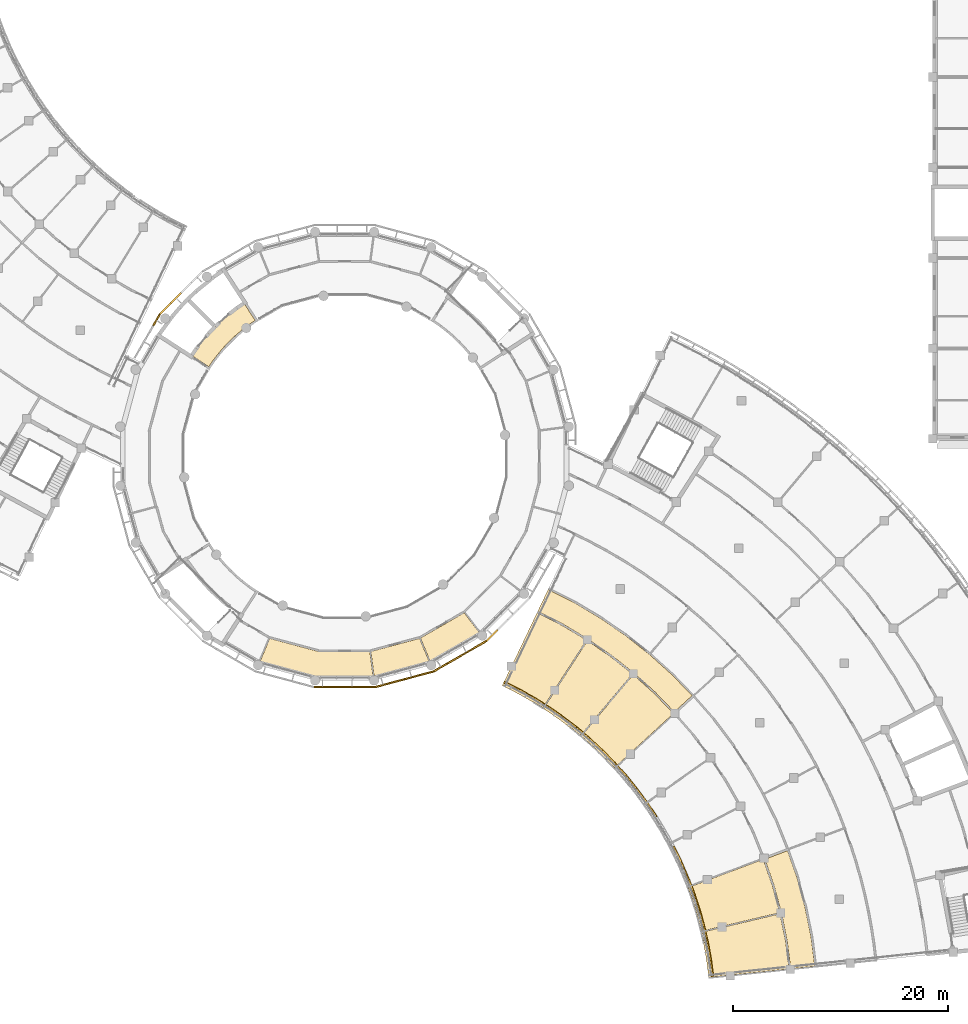
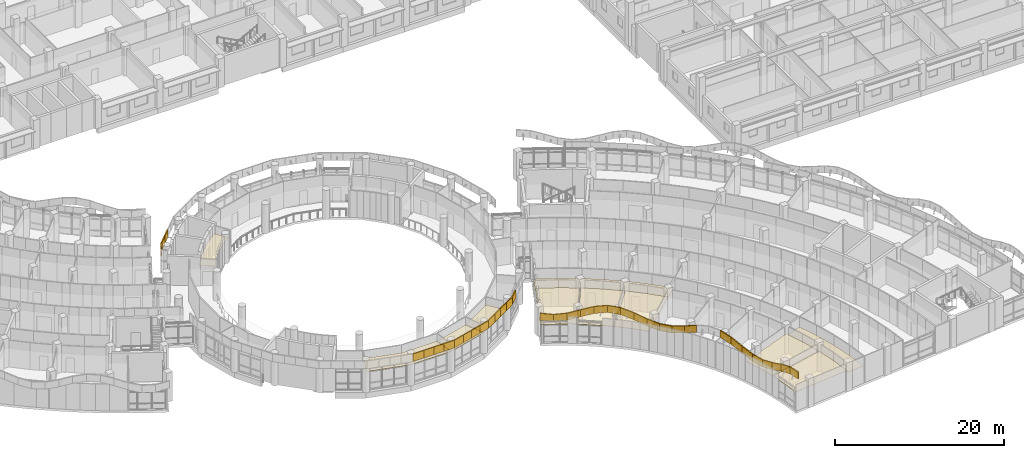
# One storey, part 93 of 109: 47 coverings.
"""IFC4 building model written with IfcOpenShell, lengths in metres."""

from ifc_helpers import new_model, si_unit, direction, frame, origin, place, context, subcontext, project, spatial, polyline, outline, extrude, material, layer, layer_set, type_object, element, save


model = new_model("IFC4")

# Units and contexts
model_context = context("Model", 3, precision=1e-05, world=origin(), true_north=direction((0.0, 1.0)))
body_context = subcontext(model_context, "Body", "Model", "MODEL_VIEW")
ifc_project = project(units=[si_unit("LENGTHUNIT", "METRE"), si_unit("AREAUNIT", "SQUARE_METRE"), si_unit("VOLUMEUNIT", "CUBIC_METRE"), si_unit("PLANEANGLEUNIT", "RADIAN"), si_unit("MASSUNIT", "GRAM", prefix="KILO")], contexts=[model_context])

# Site, building, storey
site_placement = place(None, origin())
site = spatial("IfcSite", under=ifc_project, at=site_placement, CompositionType="ELEMENT")
building_placement = place(site_placement, origin())
building = spatial("IfcBuilding", under=site, at=building_placement, Name="Bougainvillea Quay General Hospital", CompositionType="ELEMENT")
storey_placement = place(building_placement, frame((0.0, 0.0, 12.60009765625)))
storey = spatial("IfcBuildingStorey", under=building, at=storey_placement, Name="L02", CompositionType="ELEMENT", Elevation=12.60009765625)

# Coverings
ifc_material_1 = material(Name="Powder-coated aluminium fascia, white", Category="aluminium")
ifc_layer_1 = layer(ifc_material_1, 0.14990234375)
ifc_layer_set_1 = layer_set([ifc_layer_1], Name="Powder-coated aluminium fascia, white")
covering_type_1 = type_object("IfcCoveringType", Name="Aluminium fascia band white 150x1100", PredefinedType="CLADDING", material=ifc_layer_set_1)
covering_1_placement = place(storey_placement, frame((106.386474609375, 52.6298828125, 3.64990234375), z_axis=(0.0, 0.0, 1.0), x_axis=(1.0, 0.0, 0.0)))
element("IfcCovering", 1, at=covering_1_placement, inside=storey, type_object=covering_type_1, Name="Fascia band white e0 23", PredefinedType="CLADDING", context=body_context, shape_type="SweptSolid", body=[
    extrude(outline(polyline([(0.0, 0.0), (1.443115234375, 0.0), (1.443115234375, -0.14990234375), (-0.01953125, -0.14990234375), (0.0, 0.0)])), origin(), (0.0, 0.0, 1.0), 1.10009765625),
])
covering_2_placement = place(storey_placement, frame((107.82958984375, 52.6298828125, 3.64990234375), z_axis=(0.0, 0.0, 1.0), x_axis=(1.0, 0.0, 0.0)))
element("IfcCovering", 2, at=covering_2_placement, inside=storey, type_object=covering_type_1, Name="Fascia band white e0 24", PredefinedType="CLADDING", context=body_context, shape_type="SweptSolid", body=[
    extrude(outline(polyline([(0.0, 0.0), (1.370361328125, 0.0), (1.370361328125, -0.14990234375), (0.0, -0.14990234375), (0.0, 0.0)])), origin(), (0.0, 0.0, 1.0), 1.10009765625),
])
covering_3_placement = place(storey_placement, frame((109.199951171875, 52.6298828125, 3.64990234375), z_axis=(0.0, 0.0, 1.0), x_axis=(1.0, 0.0, 0.0)))
element("IfcCovering", 3, at=covering_3_placement, inside=storey, type_object=covering_type_1, Name="Fascia band white e0 25", PredefinedType="CLADDING", context=body_context, shape_type="SweptSolid", body=[
    extrude(outline(polyline([(0.0, 0.0), (1.37060546875, 0.0), (1.37060546875, -0.14990234375), (0.0, -0.14990234375), (0.0, 0.0)])), origin(), (0.0, 0.0, 1.0), 1.10009765625),
])
covering_4_placement = place(storey_placement, frame((110.570556640625, 52.6298828125, 3.64990234375), z_axis=(0.0, 0.0, 1.0), x_axis=(1.0, 0.0, 0.0)))
element("IfcCovering", 4, at=covering_4_placement, inside=storey, type_object=covering_type_1, Name="Fascia band white e0 26", PredefinedType="CLADDING", context=body_context, shape_type="SweptSolid", body=[
    extrude(outline(polyline([(0.0, 0.0), (1.44287109375, 0.0), (1.462646484375, -0.14990234375), (0.0, -0.14990234375), (0.0, 0.0)])), origin(), (0.0, 0.0, 1.0), 1.10009765625),
])
covering_5_placement = place(storey_placement, frame((112.013427734375, 52.6298828125, 3.64990234375), z_axis=(0.0, 0.0, 1.0), x_axis=(0.96591406393, 0.258862938836, 0.0)))
element("IfcCovering", 5, at=covering_5_placement, inside=storey, type_object=covering_type_1, Name="Fascia band white e0 27", PredefinedType="CLADDING", context=body_context, shape_type="SweptSolid", body=[
    extrude(outline(polyline([(0.0, 0.0), (1.4429842986801122, -5.551115123125783e-17), (1.4430025148508425, -0.14988922050420814), (-0.01970283331708037, -0.14991189777797442), (0.0, 0.0)])), origin(), (0.0, 0.0, 1.0), 1.10009765625),
])
for number, where, z_axis, x_axis, name in (
    (6, (113.4072265625, 53.00341796875, 3.64990234375), (0.0, 0.0, 1.0), (0.965917832393, 0.258848876884, 0.0), "Fascia band white e0 28"),
    (7, (114.73095703125, 53.358154296875, 3.64990234375), (0.0, 0.0, 1.0), (0.965917832393, 0.258848876884, 0.0), "Fascia band white e0 29"),
):
    element("IfcCovering", number, at=place(storey_placement, frame(where, z_axis=z_axis, x_axis=x_axis)), inside=storey, type_object=covering_type_1, Name=name, PredefinedType="CLADDING", context=body_context, shape_type="SweptSolid", body=[
        extrude(outline(polyline([(0.0, 0.0), (1.3704379651734342, -5.551115123125783e-17), (1.3704583634542102, -0.1498892202231306), (2.039828077596978e-05, -0.14988922022313056), (0.0, 0.0)])), origin(), (0.0, 0.0, 1.0), 1.10009765625),
    ])
covering_6_placement = place(storey_placement, frame((116.0546875, 53.712890625, 3.64990234375), z_axis=(0.0, 0.0, 1.0), x_axis=(0.965902723626, 0.258905250026, 0.0)))
element("IfcCovering", 8, at=covering_6_placement, inside=storey, type_object=covering_type_1, Name="Fascia band white e0 30", PredefinedType="CLADDING", context=body_context, shape_type="SweptSolid", body=[
    extrude(outline(polyline([(0.0, 0.0), (1.4427484812010494, -1.1102230246251565e-16), (1.462481182002951, -0.14986740775646643), (1.1650339643856644e-05, -0.14988922115835274), (0.0, 0.0)])), origin(), (0.0, 0.0, 1.0), 1.10009765625),
])
covering_7_placement = place(storey_placement, frame((117.4482421875, 54.08642578125, 3.64990234375), z_axis=(0.0, 0.0, 1.0), x_axis=(0.866058810152, 0.49994213401, 0.0)))
element("IfcCovering", 9, at=covering_7_placement, inside=storey, type_object=covering_type_1, Name="Fascia band white e0 31", PredefinedType="CLADDING", context=body_context, shape_type="SweptSolid", body=[
    extrude(outline(polyline([(0.0, 0.0), (1.4430380994058942, 0.0), (1.443016331686934, -0.14995740286665526), (-0.019704824865206458, -0.14987107548026693), (0.0, 0.0)])), origin(), (0.0, 0.0, 1.0), 1.10009765625),
])
for number, where, z_axis, x_axis, name in (
    (10, (118.697998046875, 54.807861328125, 3.64990234375), (0.0, 0.0, 1.0), (0.866031343357, 0.499989712218, 0.0), "Fascia band white e0 32"),
    (11, (119.885009765625, 55.4931640625, 3.64990234375), (0.0, 0.0, 1.0), (0.866031343357, 0.499989712218, 0.0), "Fascia band white e0 33"),
):
    element("IfcCovering", number, at=place(storey_placement, frame(where, z_axis=z_axis, x_axis=x_axis)), inside=storey, type_object=covering_type_1, Name=name, PredefinedType="CLADDING", context=body_context, shape_type="SweptSolid", body=[
        extrude(outline(polyline([(0.0, 0.0), (1.3706336703115394, 0.0), (1.3706036643327093, -0.14995740144450087), (-3.0005978829975022e-05, -0.14995740144450084), (0.0, 0.0)])), origin(), (0.0, 0.0, 1.0), 1.10009765625),
    ])
covering_8_placement = place(storey_placement, frame((121.072021484375, 56.178466796875, 3.64990234375), z_axis=(0.0, 0.0, 1.0), x_axis=(0.866058810152, 0.49994213401, 0.0)))
element("IfcCovering", 12, at=covering_8_placement, inside=storey, type_object=covering_type_1, Name="Fascia band white e0 34", PredefinedType="CLADDING", context=body_context, shape_type="SweptSolid", body=[
    extrude(outline(polyline([(0.0, 0.0), (1.4430380994058942, 0.0), (1.4626993888331803, -0.15004373025304363), (-2.176771896013341e-05, -0.14995740286665532), (0.0, 0.0)])), origin(), (0.0, 0.0, 1.0), 1.10009765625),
])
covering_9_placement = place(storey_placement, frame((122.32177734375, 56.89990234375, 3.64990234375), z_axis=(0.0, 0.0, 1.0), x_axis=(0.707022163611, 0.707191388638, 0.0)))
element("IfcCovering", 13, at=covering_9_placement, inside=storey, type_object=covering_type_1, Name="Fascia band white e0 35", PredefinedType="CLADDING", context=body_context, shape_type="SweptSolid", body=[
    extrude(outline(polyline([(0.0, 0.0), (1.4426980987993736, -1.1102230246251565e-16), (1.4426801269031753, -0.15019113653028116), (-0.019870802619285935, -0.15001612744454187), (0.0, 0.0)])), origin(), (0.0, 0.0, 1.0), 1.10009765625),
])
covering_10_placement = place(storey_placement, frame((94.089111328125, 89.11083984375, 3.64990234375), z_axis=(0.0, 0.0, 1.0), x_axis=(-0.707106781187, -0.707106781187, 0.0)))
element("IfcCovering", 14, at=covering_10_placement, inside=storey, type_object=covering_type_1, Name="Fascia band white e1 37", PredefinedType="CLADDING", context=body_context, shape_type="SweptSolid", body=[
    extrude(outline(polyline([(0.0, 0.0), (1.370364655531937, 0.0), (1.370364655531937, -0.15019113760554115), (0.0, -0.15019113760554112), (0.0, 0.0)])), origin(), (0.0, 0.0, 1.0), 1.10009765625),
])
covering_11_placement = place(storey_placement, frame((93.1201171875, 88.141845703125, 3.64990234375), z_axis=(0.0, 0.0, 1.0), x_axis=(-0.707106781187, -0.707106781187, 0.0)))
element("IfcCovering", 15, at=covering_11_placement, inside=storey, type_object=covering_type_1, Name="Fascia band white e1 38", PredefinedType="CLADDING", context=body_context, shape_type="SweptSolid", body=[
    extrude(outline(polyline([(0.0, 0.0), (1.4428707219621983, 0.0), (1.4625509399932692, -0.15019113760554115), (0.0, -0.15019113760554112), (0.0, 0.0)])), origin(), (0.0, 0.0, 1.0), 1.10009765625),
])
covering_12_placement = place(storey_placement, frame((92.099853515625, 87.12158203125, 3.64990234375), z_axis=(0.0, 0.0, 1.0), x_axis=(-0.499930512259, -0.866065518833, 0.0)))
element("IfcCovering", 16, at=covering_12_placement, inside=storey, type_object=covering_type_1, Name="Fascia band white e1 39", PredefinedType="CLADDING", context=body_context, shape_type="SweptSolid", body=[
    extrude(outline(polyline([(0.0, 0.0), (1.2189193999108408, 0.0), (1.2189391553405198, -0.14995740314525635), (-0.019874744650287615, -0.15016551975098325), (0.0, 0.0)])), origin(), (0.0, 0.0, 1.0), 1.10009765625),
])
ifc_material_2 = material(Name="Powder-coated aluminium fascia, blue", Category="aluminium")
ifc_layer_2 = layer(ifc_material_2, 0.14990234375)
ifc_layer_set_2 = layer_set([ifc_layer_2], Name="Powder-coated aluminium fascia, blue")
covering_type_2 = type_object("IfcCoveringType", Name="Aluminium wave fascia ribbon blue 150x1000", PredefinedType="CLADDING", material=ifc_layer_set_2)
covering_13_placement = place(storey_placement, frame((123.972412109375, 52.955810546875, 3.149658203125), z_axis=(0.13804239065, -0.069994619863, 0.987949923617), x_axis=(0.881569601227, -0.445959763251, -0.154773795438)))
element("IfcCovering", 17, at=covering_13_placement, inside=storey, type_object=covering_type_2, Name="Fascia ribbon blue a21 1", PredefinedType="CLADDING", context=body_context, shape_type="SweptSolid", body=[
    extrude(outline(polyline([(0.0, 0.0), (1.6040327603980342, 5.137763044865684e-17), (1.607512872767352, 0.15003524879649768), (-4.667253945397909e-05, 0.14990968950276912), (0.0, 0.0)])), origin(), (-0.154773795438, 0.000143777268, 0.987949923617), 1.0),
])
covering_14_placement = place(storey_placement, frame((125.386474609375, 52.240478515625, 2.9013671875), z_axis=(-0.102221149812, 0.056827350132, 0.99313719536), x_axis=(0.864534746798, -0.488775874983, 0.116952193711)))
element("IfcCovering", 18, at=covering_14_placement, inside=storey, type_object=covering_type_2, Name="Fascia ribbon blue a21 2", PredefinedType="CLADDING", context=body_context, shape_type="SweptSolid", body=[
    extrude(outline(polyline([(0.0, 0.0), (1.6028809302770939, 8.673617379884035e-19), (1.6063264695266073, 0.14973003384874164), (-0.00349570309155742, 0.15003428798556667), (0.0, 0.0)])), origin(), (0.116952193711, 0.000834013184, 0.99313719536), 1.0),
])
covering_15_placement = place(storey_placement, frame((126.772216796875, 51.45703125, 3.089599609375), z_axis=(-0.26402763994, 0.165778893155, 0.950161440984), x_axis=(0.804422662751, -0.505678720325, 0.311758258051)))
element("IfcCovering", 19, at=covering_15_placement, inside=storey, type_object=covering_type_2, Name="Fascia ribbon blue a21 3", PredefinedType="CLADDING", context=body_context, shape_type="SweptSolid", body=[
    extrude(outline(polyline([(0.0, 0.0), (1.675361555210606, -1.9488534050426942e-17), (1.6789096831837618, 0.15008084031476918), (-0.003698975229416108, 0.14972629437051038), (0.0, 0.0)])), origin(), (0.311758258051, 0.000156860436, 0.950161440984), 1.0),
])
covering_16_placement = place(storey_placement, frame((128.119873046875, 50.60986328125, 3.61328125), z_axis=(-0.276909575847, 0.192382173111, 0.941440484722), x_axis=(0.773024665522, -0.537348173235, 0.337179191552)))
element("IfcCovering", 20, at=covering_16_placement, inside=storey, type_object=covering_type_2, Name="Fascia ribbon blue a21 4", PredefinedType="CLADDING", context=body_context, shape_type="SweptSolid", body=[
    extrude(outline(polyline([(0.0, 0.0), (1.6906218260303814, 1.3322134194415636e-16), (1.694282990813571, 0.14987532349624644), (-0.0037329460975525, 0.15007822832851395), (0.0, 0.0)])), origin(), (0.337179191552, 8.0689711e-05, 0.941440484722), 1.0),
])
covering_17_placement = place(storey_placement, frame((129.4267578125, 49.701416015625, 4.184326171875), z_axis=(-0.148835872104, 0.115038506791, 0.982147659535), x_axis=(0.779547937727, -0.597427497348, 0.188110069372)))
element("IfcCovering", 21, at=covering_17_placement, inside=storey, type_object=covering_type_2, Name="Fascia ribbon blue a21 5", PredefinedType="CLADDING", context=body_context, shape_type="SweptSolid", body=[
    extrude(outline(polyline([(0.0, 0.0), (1.6207293722806468, 2.3391661871374758e-17), (1.6242289828602243, 0.14999545210581902), (-0.003586917830940366, 0.14987392887224174), (0.0, 0.0)])), origin(), (0.188110069372, -0.000759388141, 0.982147659535), 1.0),
])
covering_18_placement = place(storey_placement, frame((130.690185546875, 48.733154296875, 4.4892578125), z_axis=(0.060760212947, -0.052309765085, 0.996780760749), x_axis=(0.762215078076, -0.642340073232, -0.080171098739)))
element("IfcCovering", 22, at=covering_18_placement, inside=storey, type_object=covering_type_2, Name="Fascia ribbon blue a21 6", PredefinedType="CLADDING", context=body_context, shape_type="SweptSolid", body=[
    extrude(outline(polyline([(0.0, 0.0), (1.596709586816072, -3.007305775931668e-17), (1.6003290385223636, 0.14990912355552372), (-0.0035128008340671204, 0.1499951330441935), (0.0, 0.0)])), origin(), (-0.080171098739, 0.000842572044, 0.996780760749), 1.0),
])
covering_19_placement = place(storey_placement, frame((131.9072265625, 47.70751953125, 4.360595703125), z_axis=(0.216037851481, -0.200212659252, 0.955637241741), x_axis=(0.701322698198, -0.649144853642, -0.294546145761)))
element("IfcCovering", 23, at=covering_19_placement, inside=storey, type_object=covering_type_2, Name="Fascia ribbon blue a21 7", PredefinedType="CLADDING", context=body_context, shape_type="SweptSolid", body=[
    extrude(outline(polyline([(0.0, 0.0), (1.6656823424049687, -2.430239169626258e-16), (1.6694337987286079, 0.1499932759951359), (-0.0035744690520842733, 0.1499149222294778), (0.0, 0.0)])), origin(), (-0.294546145761, 0.00017382292, 0.955637241741), 1.0),
])
covering_20_placement = place(storey_placement, frame((133.075439453125, 46.626220703125, 3.868896484375), z_axis=(0.241518056455, -0.245160440137, 0.93891713532), x_axis=(0.658783126578, -0.669006863933, -0.344143295949)))
element("IfcCovering", 24, at=covering_20_placement, inside=storey, type_object=covering_type_2, Name="Fascia ribbon blue a21 8", PredefinedType="CLADDING", context=body_context, shape_type="SweptSolid", body=[
    extrude(outline(polyline([(0.0, 0.0), (1.6954690359485352, 4.038653092508504e-18), (1.6990200331028236, 0.14987598770373717), (-0.003611710278116973, 0.14999677888662927), (0.0, 0.0)])), origin(), (-0.344143295949, -6.9676266e-05, 0.93891713532), 1.0),
])
covering_21_placement = place(storey_placement, frame((134.1923828125, 45.491943359375, 3.284423828125), z_axis=(0.145815466801, -0.162353074621, 0.975899241112), x_axis=(0.651782849944, -0.726332192387, -0.218221591098)))
element("IfcCovering", 25, at=covering_21_placement, inside=storey, type_object=covering_type_2, Name="Fascia ribbon blue a21 9", PredefinedType="CLADDING", context=body_context, shape_type="SweptSolid", body=[
    extrude(outline(polyline([(0.0, 0.0), (1.6309065932466338, -6.606856988583543e-18), (1.6344659018611567, 0.14973473052559125), (-0.0036849569929073888, 0.1498695609994724), (0.0, 0.0)])), origin(), (-0.218221591098, -9.1518012e-05, 0.975899241112), 1.0),
])
covering_22_placement = place(storey_placement, frame((135.25537109375, 44.307373046875, 2.927978515625), z_axis=(-0.02670162834, 0.032681143566, 0.999109086086), x_axis=(0.63195571634, -0.773854597833, 0.042202298491)))
element("IfcCovering", 26, at=covering_22_placement, inside=storey, type_object=covering_type_2, Name="Fascia ribbon blue a21 10", PredefinedType="CLADDING", context=body_context, shape_type="SweptSolid", body=[
    extrude(outline(polyline([(0.0, 0.0), (1.593212628815021, -8.538092108323347e-17), (1.5966260771656002, 0.15008457539364942), (-0.0034855031057080543, 0.14973461634234006), (0.0, 0.0)])), origin(), (0.042202298491, 1.0142367e-05, 0.999109086086), 1.0),
])
covering_23_placement = place(storey_placement, frame((136.26220703125, 43.074462890625, 2.995849609375), z_axis=(-0.163314418063, 0.219906317365, 0.961753405212), x_axis=(0.573079296271, -0.772366328759, 0.273916728925)))
element("IfcCovering", 27, at=covering_23_placement, inside=storey, type_object=covering_type_2, Name="Fascia ribbon blue a21 11", PredefinedType="CLADDING", context=body_context, shape_type="SweptSolid", body=[
    extrude(outline(polyline([(0.0, 0.0), (1.6550748361836845, 6.480818486032103e-17), (1.6586371962750452, 0.1500684751436762), (-0.003688154417785504, 0.1500813230550065), (0.0, 0.0)])), origin(), (0.273916728925, 0.000114799912, 0.961753405212), 1.0),
])
covering_24_placement = place(storey_placement, frame((137.210693359375, 41.796142578125, 3.450439453125), z_axis=(-0.194112565292, 0.288622181629, 0.937559357197), x_axis=(0.523179766765, -0.778010591399, 0.347825317248)))
element("IfcCovering", 28, at=covering_24_placement, inside=storey, type_object=covering_type_2, Name="Fascia ribbon blue a21 12", PredefinedType="CLADDING", context=body_context, shape_type="SweptSolid", body=[
    extrude(outline(polyline([(0.0, 0.0), (1.697694026704752, 8.654643841865539e-17), (1.7014110042479809, 0.15003789171473148), (-0.0037345321331131083, 0.15006605615812238), (0.0, 0.0)])), origin(), (0.347825317248, 2.0346053e-05, 0.937559357197), 1.0),
])
covering_25_placement = place(storey_placement, frame((139.68701171875, 37.71728515625, 4.439697265625), z_axis=(0.110226487901, -0.224594927874, 0.968197934174), x_axis=(0.423521142384, -0.870653663328, -0.250184013253)))
element("IfcCovering", 29, at=covering_25_placement, inside=storey, type_object=covering_type_2, Name="Fascia ribbon blue a21 15", PredefinedType="CLADDING", context=body_context, shape_type="SweptSolid", body=[
    extrude(outline(polyline([(0.0, 0.0), (1.6440636690679264, 9.215718466126788e-18), (1.647692017904354, 0.15006449983771045), (-0.0036700052139361666, 0.14998720580421818), (0.0, 0.0)])), origin(), (-0.250184013253, -0.00084839506, 0.968197934174), 1.0),
])
covering_26_placement = place(storey_placement, frame((140.38330078125, 36.285888671875, 4.027099609375), z_axis=(0.137393726681, -0.31982993283, 0.937460280724), x_axis=(0.370584954202, -0.861103138681, -0.348092195076)))
element("IfcCovering", 30, at=covering_26_placement, inside=storey, type_object=covering_type_2, Name="Fascia ribbon blue a21 16", PredefinedType="CLADDING", context=body_context, shape_type="SweptSolid", body=[
    extrude(outline(polyline([(0.0, 0.0), (1.6977573793162577, 4.5428071027142636e-17), (1.701610227488363, 0.1499263587808404), (-0.0036684265328184515, 0.15006529539823665), (0.0, 0.0)])), origin(), (-0.348092195076, 0.000213991731, 0.937460280724), 1.0),
])
covering_27_placement = place(storey_placement, frame((141.012451171875, 34.823974609375, 3.434814453125), z_axis=(0.094889582409, -0.252599582802, 0.962906754529), x_axis=(0.339231798674, -0.901172145795, -0.269834301769)))
element("IfcCovering", 31, at=covering_27_placement, inside=storey, type_object=covering_type_2, Name="Fascia ribbon blue a21 17", PredefinedType="CLADDING", context=body_context, shape_type="SweptSolid", body=[
    extrude(outline(polyline([(0.0, 0.0), (1.6531140489572353, -1.1221492485224971e-17), (1.6567507273853934, 0.1499832591775648), (-0.003438875329549134, 0.1499346642880906), (0.0, 0.0)])), origin(), (-0.269834301769, 0.000177962225, 0.962906754529), 1.0),
])
covering_28_placement = place(storey_placement, frame((141.5732421875, 33.334228515625, 2.98828125), z_axis=(0.01084910111, -0.033463322421, 0.999381059985), x_axis=(0.308250027384, -0.950654734211, -0.035178074715)))
element("IfcCovering", 32, at=covering_28_placement, inside=storey, type_object=covering_type_2, Name="Fascia ribbon blue a21 18", PredefinedType="CLADDING", context=body_context, shape_type="SweptSolid", body=[
    extrude(outline(polyline([(0.0, 0.0), (1.5927593808174036, 1.288760629247418e-17), (1.5962369279141295, 0.1500410216486614), (-0.00346628299852407, 0.1499840666726398), (0.0, 0.0)])), origin(), (-0.035178074715, 1.320721e-06, 0.999381059985), 1.0),
])
covering_29_placement = place(storey_placement, frame((142.064208984375, 31.820068359375, 2.9326171875), z_axis=(-0.059056205884, 0.215509723628, 0.974714277913), x_axis=(0.257273739851, -0.940147941664, 0.223454851295)))
element("IfcCovering", 33, at=covering_29_placement, inside=storey, type_object=covering_type_2, Name="Fascia ribbon blue a21 19", PredefinedType="CLADDING", context=body_context, shape_type="SweptSolid", body=[
    extrude(outline(polyline([(0.0, 0.0), (1.6331054832142864, 1.0806785154249265e-16), (1.6366221333090503, 0.15018477814323145), (-0.003619537198719378, 0.15004077863222007), (0.0, 0.0)])), origin(), (0.223454851295, 7.6577833e-05, 0.974714277913), 1.0),
])
covering_30_placement = place(storey_placement, frame((142.484375, 30.28466796875, 3.298583984375), z_axis=(-0.07507415139, 0.336860978332, 0.938556632852), x_axis=(0.205582735031, -0.915764459179, 0.345124896757)))
element("IfcCovering", 34, at=covering_30_placement, inside=storey, type_object=covering_type_2, Name="Fascia ribbon blue a21 20", PredefinedType="CLADDING", context=body_context, shape_type="SweptSolid", body=[
    extrude(outline(polyline([(0.0, 0.0), (1.6958042597629983, 2.656295322589486e-18), (1.6993879832521666, 0.14987420176255836), (-0.0038541896935702803, 0.15018056322301787), (0.0, 0.0)])), origin(), (0.345124896757, -0.000502561605, 0.938556632852), 1.0),
])
covering_31_placement = place(storey_placement, frame((142.8330078125, 28.731689453125, 3.885009765625), z_axis=(-0.049954646847, 0.286691064639, 0.956719795298), x_axis=(0.165962539365, -0.942215190036, 0.2910102596)))
element("IfcCovering", 35, at=covering_31_placement, inside=storey, type_object=covering_type_2, Name="Fascia ribbon blue a21 21", PredefinedType="CLADDING", context=body_context, shape_type="SweptSolid", body=[
    extrude(outline(polyline([(0.0, 0.0), (1.6637550566482975, -1.702197410802242e-17), (1.6672407230934834, 0.14988527106876975), (-0.0037972755358298, 0.14986895091399208), (0.0, 0.0)])), origin(), (0.2910102596, -0.000511950029, 0.956719795298), 1.0),
])
covering_32_placement = place(storey_placement, frame((143.109130859375, 27.1640625, 4.36962890625), z_axis=(-0.009527289054, 0.073581445567, 0.997243702227), x_axis=(0.127209118908, -0.989096984977, 0.074195649309)))
element("IfcCovering", 36, at=covering_32_placement, inside=storey, type_object=covering_type_2, Name="Fascia ribbon blue a21 22", PredefinedType="CLADDING", context=body_context, shape_type="SweptSolid", body=[
    extrude(outline(polyline([(0.0, 0.0), (1.5891045015510101, -3.044744632200308e-17), (1.5891828190770056, 0.1498961592213137), (-0.00362409181525873, 0.14987901008430365), (0.0, 0.0)])), origin(), (0.074195649309, 6.318202e-05, 0.997243702227), 1.0),
])
ifc_material_3 = material(Name="Mineral fibre ceiling tile")
ifc_layer_3 = layer(ifc_material_3, 0.030029296875)
ifc_layer_set_3 = layer_set([ifc_layer_3], Name="Mineral fibre ceiling tile")
covering_type_3 = type_object("IfcCoveringType", Name="Suspended ceiling mineral fibre tile", PredefinedType="CEILING", material=ifc_layer_set_3)
covering_33_placement = place(storey_placement, frame((0.0, 0.0, 2.699951171875)))
element("IfcCovering", 37, at=covering_33_placement, inside=storey, type_object=covering_type_3, Name="Ceiling Lift Lobby LB-H1", PredefinedType="CEILING", context=body_context, shape_type="SweptSolid", body=[
    extrude(outline(polyline([(94.999755859375, 83.34130859375), (96.5927734375, 82.306884765625), (96.9287109375, 82.79541015625), (96.9248046875, 82.798583984375), (96.984130859375, 82.875732421875), (97.039306640625, 82.9560546875), (97.04345703125, 82.953125), (97.406005859375, 83.425537109375), (97.402099609375, 83.428955078125), (97.46533203125, 83.5029296875), (97.5244140625, 83.580322265625), (97.528564453125, 83.5771484375), (97.915283203125, 84.02978515625), (97.91162109375, 84.033203125), (97.978515625, 84.10400390625), (98.0419921875, 84.177978515625), (98.045654296875, 84.1748046875), (98.455322265625, 84.60693359375), (98.45166015625, 84.61083984375), (98.522216796875, 84.677734375), (98.589111328125, 84.748291015625), (98.593017578125, 84.74462890625), (99.025390625, 85.154296875), (99.02197265625, 85.157958984375), (99.09619140625, 85.221435546875), (99.166748046875, 85.288330078125), (99.170166015625, 85.28466796875), (99.622802734375, 85.67138671875), (99.619873046875, 85.675537109375), (99.697021484375, 85.734619140625), (99.77099609375, 85.798095703125), (99.7744140625, 85.794189453125), (100.246826171875, 86.156494140625), (100.243896484375, 86.16064453125), (100.32421875, 86.2158203125), (100.4013671875, 86.275146484375), (100.404541015625, 86.271240234375), (100.89306640625, 86.607177734375), (99.858642578125, 88.200439453125), (99.2080078125, 87.7529296875), (98.501953125, 87.2109375), (97.824951171875, 86.633056640625), (97.178955078125, 86.02099609375), (96.56689453125, 85.375), (95.989013671875, 84.697998046875), (95.447021484375, 83.991943359375), (94.999755859375, 83.34130859375)])), origin(), (0.0, 0.0, 1.0), 0.030029296875),
])
covering_34_placement = place(storey_placement, frame((0.0, 0.0, 2.699951171875)))
element("IfcCovering", 38, at=covering_34_placement, inside=storey, type_object=covering_type_3, Name="Ceiling Gallery Lounge 02H0222", PredefinedType="CEILING", context=body_context, shape_type="SweptSolid", body=[
    extrude(outline(polyline([(111.890625, 53.179931640625), (111.540283203125, 55.83984375), (111.52587890625, 55.836181640625), (111.521484375, 55.85302734375), (106.87744140625, 55.85302734375), (106.873046875, 55.836181640625), (106.81005859375, 55.85302734375), (106.7451171875, 55.85302734375), (106.7451171875, 55.870361328125), (102.26123046875, 57.07275390625), (102.25244140625, 57.0576171875), (102.23974609375, 57.06494140625), (101.212646484375, 54.5859375), (106.458984375, 53.179931640625), (111.890625, 53.179931640625)])), origin(), (0.0, 0.0, 1.0), 0.030029296875),
])
covering_35_placement = place(storey_placement, frame((0.0, 0.0, 2.699951171875)))
element("IfcCovering", 39, at=covering_35_placement, inside=storey, type_object=covering_type_3, Name="Ceiling Visitors' Pantry 02H0223", PredefinedType="CEILING", context=body_context, shape_type="SweptSolid", body=[
    extrude(outline(polyline([(117.187255859375, 54.5859375), (116.16015625, 57.06494140625), (116.1474609375, 57.0576171875), (116.138916015625, 57.07275390625), (111.654052734375, 55.870361328125), (111.654052734375, 55.85302734375), (111.639404296875, 55.85302734375), (111.98974609375, 53.193115234375), (117.187255859375, 54.5859375)])), origin(), (0.0, 0.0, 1.0), 0.030029296875),
])
covering_36_placement = place(storey_placement, frame((0.0, 0.0, 2.699951171875)))
element("IfcCovering", 40, at=covering_36_placement, inside=storey, type_object=covering_type_3, Name="Ceiling Gallery Lounge 02H0224", PredefinedType="CEILING", context=body_context, shape_type="SweptSolid", body=[
    extrude(outline(polyline([(121.9404296875, 57.314697265625), (120.306396484375, 59.443359375), (120.2958984375, 59.432861328125), (120.28369140625, 59.4453125), (116.262451171875, 57.123779296875), (116.266845703125, 57.10693359375), (116.252685546875, 57.103271484375), (117.27978515625, 54.624267578125), (121.9404296875, 57.314697265625)])), origin(), (0.0, 0.0, 1.0), 0.030029296875),
])
covering_37_placement = place(storey_placement, frame((0.0, 0.0, 2.39990234375)))
element("IfcCovering", 41, at=covering_37_placement, inside=storey, type_object=covering_type_3, Name="Ceiling Clinic Corridor 02E1", PredefinedType="CEILING", context=body_context, shape_type="SweptSolid", body=[
    extrude(outline(polyline([(127.09912109375, 59.527099609375), (127.1328125, 59.593994140625), (129.438720703125, 58.427490234375), (129.44140625, 58.431884765625), (129.503173828125, 58.394775390625), (129.56787109375, 58.362060546875), (129.5654296875, 58.357421875), (131.72021484375, 57.0634765625), (131.722900390625, 57.0673828125), (131.78271484375, 57.026123046875), (131.844970703125, 56.98876953125), (131.842529296875, 56.984619140625), (133.91064453125, 55.5556640625), (133.91357421875, 55.559326171875), (133.970703125, 55.514404296875), (134.0302734375, 55.47314453125), (134.02783203125, 55.46923828125), (136.000244140625, 53.912353515625), (136.00341796875, 53.916015625), (136.057373046875, 53.867431640625), (136.1142578125, 53.822509765625), (136.111328125, 53.81884765625), (137.981201171875, 52.137451171875), (137.985107421875, 52.14111328125), (138.03515625, 52.0888671875), (138.0888671875, 52.04052734375), (138.08544921875, 52.03662109375), (139.807861328125, 50.245849609375), (141.46435546875, 51.767333984375), (139.5908203125, 53.714111328125), (137.507568359375, 55.587646484375), (135.307373046875, 57.32373046875), (133.00244140625, 58.9169921875), (130.599609375, 60.359375), (128.099609375, 61.624267578125), (127.09912109375, 59.527099609375)])), origin(), (0.0, 0.0, 1.0), 0.030029296875),
])
covering_38_placement = place(storey_placement, frame((0.0, 0.0, 2.699951171875)))
element("IfcCovering", 42, at=covering_38_placement, inside=storey, type_object=covering_type_3, Name="Ceiling Ultrasound Room 02E111", PredefinedType="CEILING", context=body_context, shape_type="SweptSolid", body=[
    extrude(outline(polyline([(126.702880859375, 51.14892578125), (126.7294921875, 51.19140625), (127.608642578125, 50.6435546875), (131.658447265625, 56.92578125), (129.4306640625, 58.26318359375), (127.066650390625, 59.459228515625), (123.8369140625, 52.68798828125), (124.7939453125, 52.212890625), (125.70703125, 51.72412109375), (126.702880859375, 51.14892578125)])), origin(), (0.0, 0.0, 1.0), 0.030029296875),
])
covering_39_placement = place(storey_placement, frame((0.0, 0.0, 2.699951171875)))
element("IfcCovering", 43, at=covering_39_placement, inside=storey, type_object=covering_type_3, Name="Ceiling Echocardiography Room 02E112", PredefinedType="CEILING", context=body_context, shape_type="SweptSolid", body=[
    extrude(outline(polyline([(130.090087890625, 48.825927734375), (130.12158203125, 48.86474609375), (131.1044921875, 48.067626953125), (135.92138671875, 53.78369140625), (133.88134765625, 55.3935546875), (131.742431640625, 56.87158203125), (127.665771484375, 50.54736328125), (128.39111328125, 50.06591796875), (129.25, 49.458984375), (130.090087890625, 48.825927734375)])), origin(), (0.0, 0.0, 1.0), 0.030029296875),
])
covering_40_placement = place(storey_placement, frame((0.0, 0.0, 2.699951171875)))
element("IfcCovering", 44, at=covering_40_placement, inside=storey, type_object=covering_type_3, Name="Ceiling Ultrasound Room 02E113", PredefinedType="CEILING", context=body_context, shape_type="SweptSolid", body=[
    extrude(outline(polyline([(131.92626953125, 47.356689453125), (131.99951171875, 47.290771484375), (131.99853515625, 47.289794921875), (132.722412109375, 46.61767578125), (132.7236328125, 46.61865234375), (132.794677734375, 46.550537109375), (132.793701171875, 46.549560546875), (133.49560546875, 45.854736328125), (133.496826171875, 45.855712890625), (133.565673828125, 45.785400390625), (133.564697265625, 45.7841796875), (134.244384765625, 45.068115234375), (139.732177734375, 50.1083984375), (137.930908203125, 51.98095703125), (135.997802734375, 53.71923828125), (131.180908203125, 48.00341796875), (131.92529296875, 47.35546875), (131.92626953125, 47.356689453125)])), origin(), (0.0, 0.0, 1.0), 0.030029296875),
])
covering_41_placement = place(storey_placement, frame((0.0, 0.0, 2.39990234375)))
element("IfcCovering", 45, at=covering_41_placement, inside=storey, type_object=covering_type_3, Name="Ceiling Clinic Corridor 02E1", PredefinedType="CEILING", context=body_context, shape_type="SweptSolid", body=[
    extrude(outline(polyline([(149.07861328125, 34.09521484375), (149.736083984375, 31.66845703125), (149.740478515625, 31.66943359375), (149.755126953125, 31.598388671875), (149.77392578125, 31.5283203125), (149.76953125, 31.527099609375), (150.26953125, 29.064208984375), (150.27490234375, 29.06494140625), (150.283935546875, 28.9931640625), (150.29833984375, 28.92236328125), (150.293212890625, 28.92138671875), (150.6171875, 26.406494140625), (152.85302734375, 26.641845703125), (152.501953125, 29.370849609375), (151.944091796875, 32.11669921875), (151.21240234375, 34.82177734375), (150.31884765625, 37.37109375), (148.21435546875, 36.5791015625), (149.03564453125, 34.233642578125), (149.040771484375, 34.235107421875), (149.0595703125, 34.165283203125), (149.08349609375, 34.096923828125), (149.07861328125, 34.09521484375)])), origin(), (0.0, 0.0, 1.0), 0.030029296875),
])
covering_42_placement = place(storey_placement, frame((0.0, 0.0, 2.699951171875)))
element("IfcCovering", 46, at=covering_42_placement, inside=storey, type_object=covering_type_3, Name="Ceiling Fertility Consulting Room 02E111", PredefinedType="CEILING", context=body_context, shape_type="SweptSolid", body=[
    extrude(outline(polyline([(141.416748046875, 33.01953125), (141.418212890625, 33.02001953125), (141.449951171875, 32.9267578125), (141.448486328125, 32.92626953125), (141.751708984375, 31.986328125), (141.753173828125, 31.98681640625), (141.781982421875, 31.892822265625), (141.780517578125, 31.892333984375), (142.0537109375, 30.9423828125), (142.05517578125, 30.94287109375), (142.080810546875, 30.84765625), (142.079345703125, 30.847412109375), (142.322265625, 29.890869140625), (149.595947265625, 31.612060546875), (148.916259765625, 34.120849609375), (148.057373046875, 36.573486328125), (141.083740234375, 33.948486328125), (141.416748046875, 33.01953125)])), origin(), (0.0, 0.0, 1.0), 0.030029296875),
])
covering_43_placement = place(storey_placement, frame((0.0, 0.0, 2.699951171875)))
element("IfcCovering", 47, at=covering_43_placement, inside=storey, type_object=covering_type_3, Name="Ceiling Reproductive Examination Room 02E112", PredefinedType="CEILING", context=body_context, shape_type="SweptSolid", body=[
    extrude(outline(polyline([(143.012939453125, 25.555908203125), (143.0078125, 25.605712890625), (150.468017578125, 26.390869140625), (150.135986328125, 28.96875), (149.618896484375, 31.5146484375), (142.345458984375, 29.793701171875), (142.56787109375, 28.78271484375), (142.51904296875, 28.77197265625), (142.718017578125, 27.705078125), (142.887939453125, 26.597900390625), (143.012939453125, 25.555908203125)])), origin(), (0.0, 0.0, 1.0), 0.030029296875),
])

save(model, "model.ifc")
